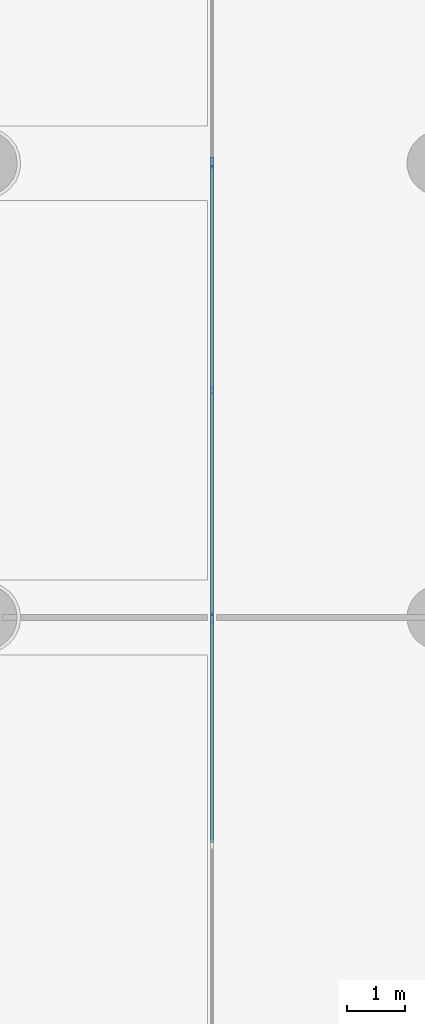
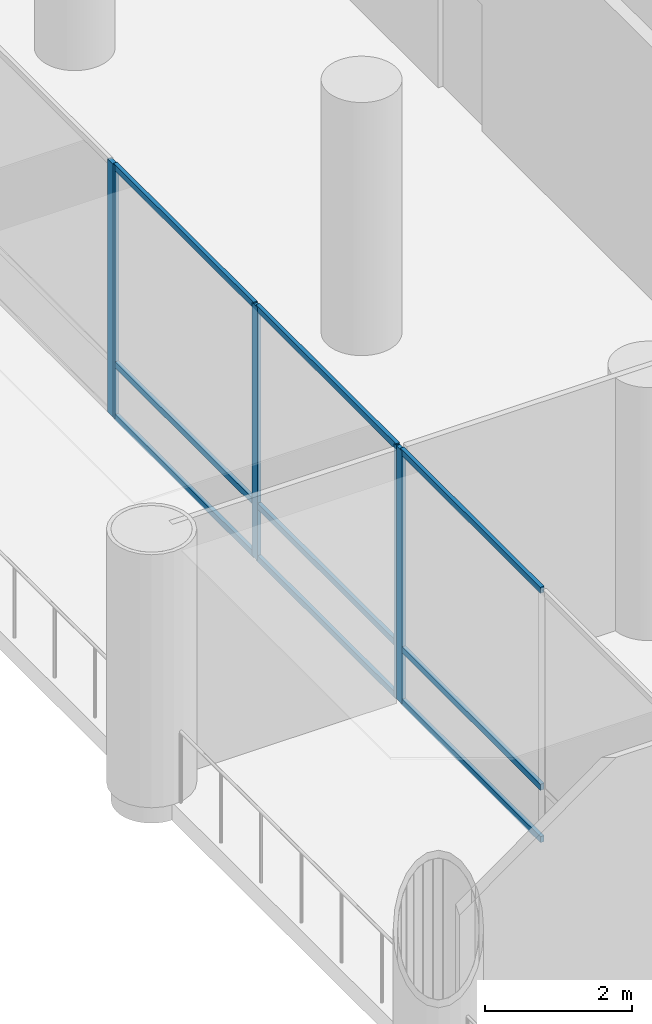
# One storey, part 3 of 24: 14 members, 3 elements without a shape of their own.
"""IFC4 building model written with IfcOpenShell, lengths in metres."""

from ifc_helpers import new_model, si_unit, direction, frame, origin, origin_2d, place, context, subcontext, project, spatial, rectangle, extrude, material, material_profile, profile_set, type_object, element, aggregate, save


model = new_model("IFC4")

# Units and contexts
model_context = context("Model", 3, precision=1e-05, world=origin(), true_north=direction((0.0, 1.0)))
body_context = subcontext(model_context, "Body", "Model", "MODEL_VIEW")
ifc_project = project(units=[si_unit("LENGTHUNIT", "METRE"), si_unit("AREAUNIT", "SQUARE_METRE"), si_unit("VOLUMEUNIT", "CUBIC_METRE"), si_unit("PLANEANGLEUNIT", "RADIAN"), si_unit("MASSUNIT", "GRAM", prefix="KILO")], contexts=[model_context])

# Site, building, storey
site_placement = place(None, origin())
site = spatial("IfcSite", under=ifc_project, at=site_placement, CompositionType="ELEMENT")
building_placement = place(site_placement, origin())
building = spatial("IfcBuilding", under=site, at=building_placement, Name="Ludao Terraces", CompositionType="ELEMENT")
storey_placement = place(building_placement, frame((0.0, 0.0, 6.0)))
storey = spatial("IfcBuildingStorey", under=building, at=storey_placement, Name="L01", CompositionType="ELEMENT", Elevation=6.0)

# Curtain wall, member
ifc_material_1 = material(Name="Aluminium curtain wall with fritted glass", Category="aluminium")
curtain_wall_type = type_object("IfcCurtainWallType", Name="ENV CW1 podium glazing", PredefinedType="NOTDEFINED", material=ifc_material_1)
curtain_wall_1_placement = place(storey_placement, origin())
curtain_wall_1 = element("IfcCurtainWall", 1, at=curtain_wall_1_placement, inside=storey, type_object=curtain_wall_type, Name="CW-L01-W3", PredefinedType="NOTDEFINED")
ifc_material_2 = material(Name="Aluminium 6063-T6", Category="aluminium")
ifc_material_profile_1 = material_profile(ifc_material_2, rectangle(XDim=0.06005859375, YDim=0.14990234375, at=origin_2d()), Name="60 X 150")
ifc_profile_set_1 = profile_set([ifc_material_profile_1], Name="Aluminium 6063-T6")
member_type_1 = type_object("IfcMemberType", Name="ENV CW1 mullion 60x150", PredefinedType="MULLION", material=ifc_profile_set_1)
member_1_placement = place(storey_placement, frame((49.89990234375, 49.3701171875, 0.0), z_axis=(0.0, 0.0, 1.0), x_axis=(-1.0, 0.0, 0.0)))
member_1 = element("IfcMember", 2, at=member_1_placement, type_object=member_type_1, Name="CW1 mullion 3", PredefinedType="MULLION", context=body_context, shape_type="SweptSolid", body=[
    extrude(rectangle(XDim=0.06005859375, YDim=0.14990234375, at=origin_2d()), origin(), (0.0, 0.0, 1.0), 4.199951171875),
])

# Curtain wall, members
curtain_wall_2_placement = place(storey_placement, origin())
curtain_wall_2 = element("IfcCurtainWall", 3, at=curtain_wall_2_placement, inside=storey, type_object=curtain_wall_type, Name="CW-L01-W4", PredefinedType="NOTDEFINED")
member_2_placement = place(storey_placement, frame((49.89990234375, 49.429931640625, 0.0), z_axis=(0.0, 0.0, 1.0), x_axis=(-1.0, 0.0, 0.0)))
member_2 = element("IfcMember", 4, at=member_2_placement, type_object=member_type_1, Name="CW1 mullion 1", PredefinedType="MULLION", context=body_context, shape_type="SweptSolid", body=[
    extrude(rectangle(XDim=0.06005859375, YDim=0.14990234375, at=origin_2d()), origin(), (0.0, 0.0, 1.0), 4.199951171875),
])
member_3_placement = place(storey_placement, frame((49.89990234375, 53.300048828125, 0.0), z_axis=(0.0, 0.0, 1.0), x_axis=(-1.0, 0.0, 0.0)))
member_3 = element("IfcMember", 5, at=member_3_placement, type_object=member_type_1, Name="CW1 mullion 2", PredefinedType="MULLION", context=body_context, shape_type="SweptSolid", body=[
    extrude(rectangle(XDim=0.06005859375, YDim=0.14990234375, at=origin_2d()), origin(), (0.0, 0.0, 1.0), 4.199951171875),
])
member_4_placement = place(storey_placement, frame((49.89990234375, 57.169921875, 0.0), z_axis=(0.0, 0.0, 1.0), x_axis=(-1.0, 0.0, 0.0)))
member_4 = element("IfcMember", 6, at=member_4_placement, type_object=member_type_1, Name="CW1 mullion 3", PredefinedType="MULLION", context=body_context, shape_type="SweptSolid", body=[
    extrude(rectangle(XDim=0.06005859375, YDim=0.14990234375, at=origin_2d()), origin(), (0.0, 0.0, 1.0), 4.199951171875),
])

# Curtain wall, member
curtain_wall_3_placement = place(storey_placement, origin())
curtain_wall_3 = element("IfcCurtainWall", 7, at=curtain_wall_3_placement, inside=storey, type_object=curtain_wall_type, Name="CW-L01-W5", PredefinedType="NOTDEFINED")
member_5_placement = place(storey_placement, frame((49.89990234375, 57.22998046875, 0.0), z_axis=(0.0, 0.0, 1.0), x_axis=(-1.0, 0.0, 0.0)))
member_5 = element("IfcMember", 8, at=member_5_placement, type_object=member_type_1, Name="CW1 mullion 1", PredefinedType="MULLION", context=body_context, shape_type="SweptSolid", body=[
    extrude(rectangle(XDim=0.06005859375, YDim=0.14990234375, at=origin_2d()), origin(), (0.0, 0.0, 1.0), 4.199951171875),
])
aggregate(curtain_wall_3, [member_5])

# Member
ifc_material_profile_2 = material_profile(ifc_material_2, rectangle(XDim=0.06005859375, YDim=0.10009765625, at=origin_2d()), Name="60 X 100")
ifc_profile_set_2 = profile_set([ifc_material_profile_2], Name="Aluminium 6063-T6")
member_type_2 = type_object("IfcMemberType", Name="ENV CW1 transom 60x100", PredefinedType="USERDEFINED", material=ifc_profile_set_2)
member_6_placement = place(storey_placement, frame((49.89990234375, 45.530029296875, 0.030029296875), z_axis=(0.0, 1.0, 0.0), x_axis=(-1.0, 0.0, 0.0)))
member_6 = element("IfcMember", 9, at=member_6_placement, type_object=member_type_2, Name="CW1 transom 2.1", ObjectType="TRANSOM", PredefinedType="USERDEFINED", context=body_context, shape_type="SweptSolid", body=[
    extrude(rectangle(XDim=0.06005859375, YDim=0.10009765625, at=origin_2d()), origin(), (0.0, 0.0, 1.0), 3.81005859375),
])

member_7_placement = place(storey_placement, frame((49.89990234375, 45.530029296875, 0.89990234375), z_axis=(0.0, 1.0, 0.0), x_axis=(-1.0, 0.0, 0.0)))
member_7 = element("IfcMember", 10, at=member_7_placement, type_object=member_type_2, Name="CW1 transom 2.2", ObjectType="TRANSOM", PredefinedType="USERDEFINED", context=body_context, shape_type="SweptSolid", body=[
    extrude(rectangle(XDim=0.06005859375, YDim=0.10009765625, at=origin_2d()), origin(), (0.0, 0.0, 1.0), 3.81005859375),
])

member_8_placement = place(storey_placement, frame((49.89990234375, 45.530029296875, 4.169921875), z_axis=(0.0, 1.0, 0.0), x_axis=(-1.0, 0.0, 0.0)))
member_8 = element("IfcMember", 11, at=member_8_placement, type_object=member_type_2, Name="CW1 transom 2.3", ObjectType="TRANSOM", PredefinedType="USERDEFINED", context=body_context, shape_type="SweptSolid", body=[
    extrude(rectangle(XDim=0.06005859375, YDim=0.10009765625, at=origin_2d()), origin(), (0.0, 0.0, 1.0), 3.81005859375),
])

aggregate(curtain_wall_1, [member_1, member_6, member_7, member_8])

member_9_placement = place(storey_placement, frame((49.89990234375, 49.4599609375, 0.030029296875), z_axis=(0.0, 1.0, 0.0), x_axis=(-1.0, 0.0, 0.0)))
member_9 = element("IfcMember", 12, at=member_9_placement, type_object=member_type_2, Name="CW1 transom 1.1", ObjectType="TRANSOM", PredefinedType="USERDEFINED", context=body_context, shape_type="SweptSolid", body=[
    extrude(rectangle(XDim=0.06005859375, YDim=0.10009765625, at=origin_2d()), origin(), (0.0, 0.0, 1.0), 3.81005859375),
])

member_10_placement = place(storey_placement, frame((49.89990234375, 49.4599609375, 0.89990234375), z_axis=(0.0, 1.0, 0.0), x_axis=(-1.0, 0.0, 0.0)))
member_10 = element("IfcMember", 13, at=member_10_placement, type_object=member_type_2, Name="CW1 transom 1.2", ObjectType="TRANSOM", PredefinedType="USERDEFINED", context=body_context, shape_type="SweptSolid", body=[
    extrude(rectangle(XDim=0.06005859375, YDim=0.10009765625, at=origin_2d()), origin(), (0.0, 0.0, 1.0), 3.81005859375),
])

member_11_placement = place(storey_placement, frame((49.89990234375, 49.4599609375, 4.169921875), z_axis=(0.0, 1.0, 0.0), x_axis=(-1.0, 0.0, 0.0)))
member_11 = element("IfcMember", 14, at=member_11_placement, type_object=member_type_2, Name="CW1 transom 1.3", ObjectType="TRANSOM", PredefinedType="USERDEFINED", context=body_context, shape_type="SweptSolid", body=[
    extrude(rectangle(XDim=0.06005859375, YDim=0.10009765625, at=origin_2d()), origin(), (0.0, 0.0, 1.0), 3.81005859375),
])

member_12_placement = place(storey_placement, frame((49.89990234375, 53.330078125, 0.030029296875), z_axis=(0.0, 1.0, 0.0), x_axis=(-1.0, 0.0, 0.0)))
member_12 = element("IfcMember", 15, at=member_12_placement, type_object=member_type_2, Name="CW1 transom 2.1", ObjectType="TRANSOM", PredefinedType="USERDEFINED", context=body_context, shape_type="SweptSolid", body=[
    extrude(rectangle(XDim=0.06005859375, YDim=0.10009765625, at=origin_2d()), origin(), (0.0, 0.0, 1.0), 3.809814453125),
])

member_13_placement = place(storey_placement, frame((49.89990234375, 53.330078125, 0.89990234375), z_axis=(0.0, 1.0, 0.0), x_axis=(-1.0, 0.0, 0.0)))
member_13 = element("IfcMember", 16, at=member_13_placement, type_object=member_type_2, Name="CW1 transom 2.2", ObjectType="TRANSOM", PredefinedType="USERDEFINED", context=body_context, shape_type="SweptSolid", body=[
    extrude(rectangle(XDim=0.06005859375, YDim=0.10009765625, at=origin_2d()), origin(), (0.0, 0.0, 1.0), 3.809814453125),
])

member_14_placement = place(storey_placement, frame((49.89990234375, 53.330078125, 4.169921875), z_axis=(0.0, 1.0, 0.0), x_axis=(-1.0, 0.0, 0.0)))
member_14 = element("IfcMember", 17, at=member_14_placement, type_object=member_type_2, Name="CW1 transom 2.3", ObjectType="TRANSOM", PredefinedType="USERDEFINED", context=body_context, shape_type="SweptSolid", body=[
    extrude(rectangle(XDim=0.06005859375, YDim=0.10009765625, at=origin_2d()), origin(), (0.0, 0.0, 1.0), 3.809814453125),
])

aggregate(curtain_wall_2, [member_2, member_3, member_4, member_9, member_10, member_11, member_12, member_13, member_14])

save(model, "model.ifc")
